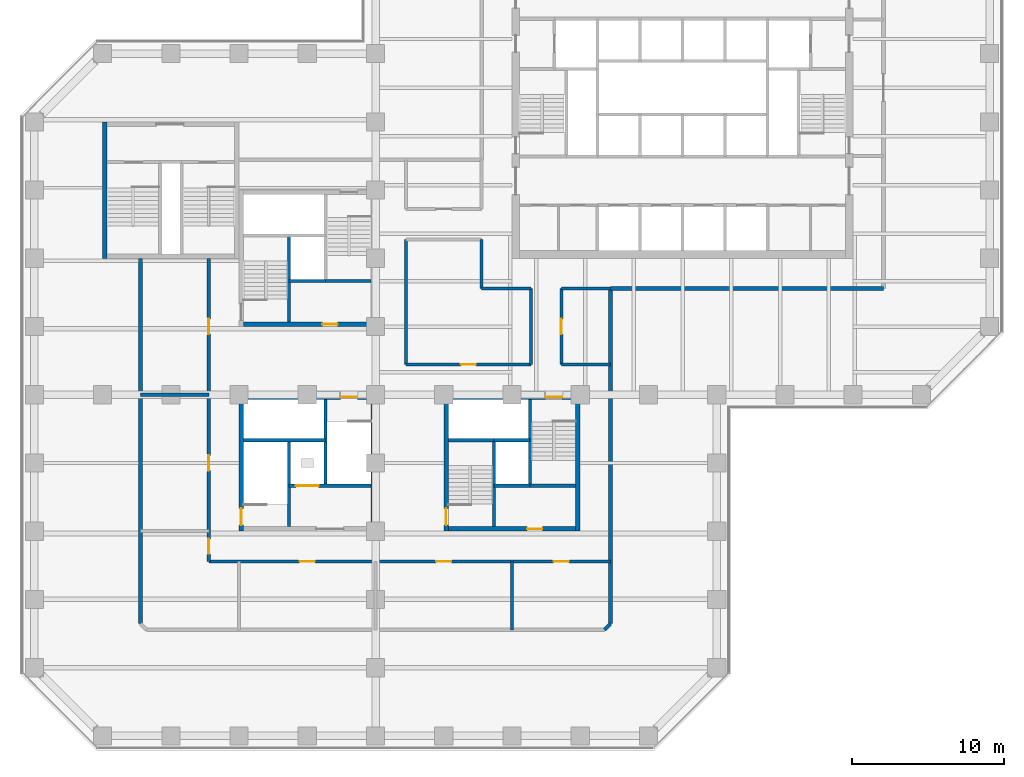
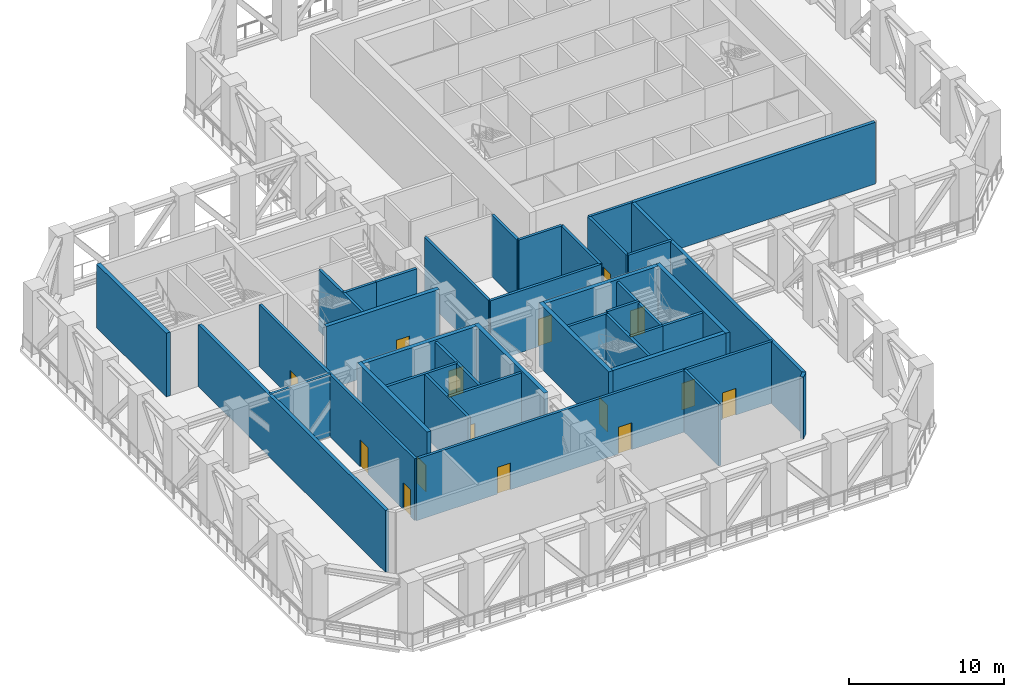
# One storey, part 5 of 16: 38 walls, 15 doors, 15 openings.
"""IFC4 building model written with IfcOpenShell, lengths in metres."""

from ifc_helpers import new_model, si_unit, direction, frame, frame_2d, origin, place, context, subcontext, project, spatial, rectangle, extrude, material, layer, layer_set, type_object, element, fill, save


model = new_model("IFC4")

# Units and contexts
model_context = context("Model", 3, precision=1e-05, world=origin(), true_north=direction((0.0, 1.0)))
body_context = subcontext(model_context, "Body", "Model", "MODEL_VIEW")
ifc_project = project(units=[si_unit("LENGTHUNIT", "METRE"), si_unit("AREAUNIT", "SQUARE_METRE"), si_unit("VOLUMEUNIT", "CUBIC_METRE"), si_unit("PLANEANGLEUNIT", "RADIAN"), si_unit("MASSUNIT", "GRAM", prefix="KILO")], contexts=[model_context])

# Site, building, storey
site_placement = place(None, origin())
site = spatial("IfcSite", under=ifc_project, at=site_placement, CompositionType="ELEMENT")
building_placement = place(site_placement, origin())
building = spatial("IfcBuilding", under=site, at=building_placement, Name="Quoin Convention Tower", CompositionType="ELEMENT")
storey_placement = place(building_placement, frame((0.0, 0.0, 69.300048828125)))
storey = spatial("IfcBuildingStorey", under=building, at=storey_placement, Name="L18", CompositionType="ELEMENT", Elevation=69.300048828125)

# Walls
ifc_material_1 = material(Name="Concrete C50", Category="concrete")
ifc_layer_1 = layer(ifc_material_1, 0.199951171875)
ifc_layer_set_1 = layer_set([ifc_layer_1], Name="Concrete C50")
wall_type_1 = type_object("IfcWallType", Name="Core shaft wall", PredefinedType="SOLIDWALL", material=ifc_layer_set_1)
wall_1_placement = place(storey_placement, frame((30.300048828125, 48.0, 0.0), z_axis=(0.0, 0.0, 1.0), x_axis=(1.0, 0.0, 0.0)))
element("IfcWall", 1, at=wall_1_placement, inside=storey, type_object=wall_type_1, Name="cr-P2-L18-h3000_3300", PredefinedType="SOLIDWALL", context=body_context, shape_type="SweptSolid", body=[
    extrude(rectangle(XDim=2.39990234375, YDim=0.199951171875, at=frame_2d((1.199951171875, 0.0))), origin(), (0.0, 0.0, 1.0), 4.849853515625),
])
wall_2_placement = place(storey_placement, frame((32.699951171875, 48.0, 0.0), z_axis=(0.0, 0.0, 1.0), x_axis=(1.0, 0.0, 0.0)))
element("IfcWall", 2, at=wall_2_placement, inside=storey, type_object=wall_type_1, Name="cr-P2-L18-h3000_5700", PredefinedType="SOLIDWALL", context=body_context, shape_type="SweptSolid", body=[
    extrude(rectangle(XDim=3.0, YDim=0.199951171875, at=frame_2d((1.5, 0.0))), origin(), (0.0, 0.0, 1.0), 4.849853515625),
])
wall_3_placement = place(storey_placement, frame((30.300048828125, 45.300048828125, 0.0), z_axis=(0.0, 0.0, 1.0), x_axis=(0.0, 1.0, 0.0)))
element("IfcWall", 3, at=wall_3_placement, inside=storey, type_object=wall_type_1, Name="cr-P2-L18-v3300_300", PredefinedType="SOLIDWALL", context=body_context, shape_type="SweptSolid", body=[
    extrude(rectangle(XDim=5.699951171875, YDim=0.199951171875, at=frame_2d((2.85009765625, 0.0))), origin(), (0.0, 0.0, 1.0), 4.849853515625),
])
wall_4_placement = place(storey_placement, frame((43.800048828125, 34.5, 0.0), z_axis=(0.0, 0.0, 1.0), x_axis=(1.0, 0.0, 0.0)))
element("IfcWall", 4, at=wall_4_placement, inside=storey, type_object=wall_type_1, Name="cr-P3-L18-h3000_3300", PredefinedType="SOLIDWALL", context=body_context, shape_type="SweptSolid", body=[
    extrude(rectangle(XDim=2.39990234375, YDim=0.199951171875, at=frame_2d((1.199951171875, 0.0))), origin(), (0.0, 0.0, 1.0), 4.849853515625),
])
for number, where, z_axis, x_axis, name in (
    (5, (46.199951171875, 34.5, 0.0), (0.0, 0.0, 1.0), (1.0, 0.0, 0.0), "cr-P3-L18-h3000_5700"),
    (6, (40.800048828125, 37.5, 0.0), (0.0, 0.0, 1.0), (1.0, 0.0, 0.0), "cr-P3-L18-h6000_300"),
):
    element("IfcWall", number, at=place(storey_placement, frame(where, z_axis=z_axis, x_axis=x_axis)), inside=storey, type_object=wall_type_1, Name=name, PredefinedType="SOLIDWALL", context=body_context, shape_type="SweptSolid", body=[
        extrude(rectangle(XDim=3.0, YDim=0.199951171875, at=frame_2d((1.5, 0.0))), origin(), (0.0, 0.0, 1.0), 4.849853515625),
    ])
for number, where, z_axis, x_axis, name in (
    (7, (43.800048828125, 31.800048828125, 0.0), (0.0, 0.0, 1.0), (0.0, 1.0, 0.0), "cr-P3-L18-v3300_300"),
    (8, (46.199951171875, 34.5, 0.0), (0.0, 0.0, 1.0), (0.0, 1.0, 0.0), "cr-P3-L18-v5700_3000"),
):
    element("IfcWall", number, at=place(storey_placement, frame(where, z_axis=z_axis, x_axis=x_axis)), inside=storey, type_object=wall_type_1, Name=name, PredefinedType="SOLIDWALL", context=body_context, shape_type="SweptSolid", body=[
        extrude(rectangle(XDim=5.699951171875, YDim=0.199951171875, at=frame_2d((2.85009765625, 0.0))), origin(), (0.0, 0.0, 1.0), 4.849853515625),
    ])

# Wall, opening, door
wall_5_placement = place(storey_placement, frame((30.300048828125, 34.5, 0.0), z_axis=(0.0, 0.0, 1.0), x_axis=(1.0, 0.0, 0.0)))
wall_5 = element("IfcWall", 9, at=wall_5_placement, inside=storey, type_object=wall_type_1, Name="cr-P4-L18-h3000_3300", PredefinedType="SOLIDWALL", context=body_context, shape_type="SweptSolid", body=[
    extrude(rectangle(XDim=5.39990234375, YDim=0.199951171875, at=frame_2d((2.699951171875, 0.0))), origin(), (0.0, 0.0, 1.0), 4.849853515625),
])
opening_1_placement = place(wall_5_placement, frame((0.449951171875, 0.0, 0.0)))
opening_1 = element("IfcOpeningElement", 10, at=opening_1_placement, cuts=wall_5, Name="Opening LDGL1", PredefinedType="OPENING", context=body_context, shape_type="SweptSolid", body=[
    extrude(rectangle(XDim=1.5, YDim=2.10009765625, at=frame_2d((0.75, 1.050048828125))), frame((0.0, 0.10986328125, 0.0), z_axis=(0.0, -1.0, 0.0), x_axis=(1.0, 0.0, 0.0)), (0.0, 0.0, 1.0), 0.219970703125),
])
ifc_material_2 = material(Name="Steel door leaf", Category="steel")
door_type_1 = type_object("IfcDoorType", Name="Lift landing door 1500 x 2100", OperationType="DOUBLE_DOOR_SLIDING", PredefinedType="DOOR", material=ifc_material_2)
door_1_placement = place(opening_1_placement, origin())
door_1 = element("IfcDoor", 11, at=door_1_placement, inside=storey, type_object=door_type_1, Name="cd-P4-L18-CEN-R2-LDGL1", OperationType="DOUBLE_DOOR_SLIDING", OverallHeight=2.10009765625, OverallWidth=1.5, PredefinedType="DOOR", context=body_context, shape_type="SweptSolid", body=[
    extrude(rectangle(XDim=1.5, YDim=2.10009765625, at=frame_2d((0.75, 1.050048828125))), frame((0.0, 0.02490234375, 0.0), z_axis=(0.0, -1.0, 0.0), x_axis=(1.0, 0.0, 0.0)), (0.0, 0.0, 1.0), 0.050048828125),
])
fill(opening_1, door_1)

# Walls
wall_6_placement = place(storey_placement, frame((27.300048828125, 37.5, 0.0), z_axis=(0.0, 0.0, 1.0), x_axis=(1.0, 0.0, 0.0)))
element("IfcWall", 12, at=wall_6_placement, inside=storey, type_object=wall_type_1, Name="cr-P4-L18-h6000_300", PredefinedType="SOLIDWALL", context=body_context, shape_type="SweptSolid", body=[
    extrude(rectangle(XDim=5.39990234375, YDim=0.199951171875, at=frame_2d((2.699951171875, 0.0))), origin(), (0.0, 0.0, 1.0), 4.849853515625),
])
for number, where, z_axis, x_axis, name in (
    (13, (30.300048828125, 31.800048828125, 0.0), (0.0, 0.0, 1.0), (0.0, 1.0, 0.0), "cr-P4-L18-v3300_300"),
    (14, (32.699951171875, 34.5, 0.0), (0.0, 0.0, 1.0), (0.0, 1.0, 0.0), "cr-P4-L18-v5700_3000"),
):
    element("IfcWall", number, at=place(storey_placement, frame(where, z_axis=z_axis, x_axis=x_axis)), inside=storey, type_object=wall_type_1, Name=name, PredefinedType="SOLIDWALL", context=body_context, shape_type="SweptSolid", body=[
        extrude(rectangle(XDim=5.699951171875, YDim=0.199951171875, at=frame_2d((2.85009765625, 0.0))), origin(), (0.0, 0.0, 1.0), 4.849853515625),
    ])
ifc_layer_2 = layer(ifc_material_1, 0.199951171875)
ifc_layer_set_2 = layer_set([ifc_layer_2], Name="Concrete C50")
wall_type_2 = type_object("IfcWallType", Name="Core shaft wall to the floor level over", PredefinedType="SOLIDWALL", material=ifc_layer_set_2)
wall_7_placement = place(storey_placement, frame((43.800048828125, 37.5, 0.0), z_axis=(0.0, 0.0, 1.0), x_axis=(1.0, 0.0, 0.0)))
element("IfcWall", 15, at=wall_7_placement, inside=storey, type_object=wall_type_2, Name="cr-P3-L18-h6000_3300", PredefinedType="SOLIDWALL", context=body_context, shape_type="SweptSolid", body=[
    extrude(rectangle(XDim=2.39990234375, YDim=0.199951171875, at=frame_2d((1.199951171875, 0.0))), origin(), (0.0, 0.0, 1.0), 5.0),
])

# Wall, opening, door
ifc_material_3 = material(Name="Concrete C80", Category="concrete")
ifc_layer_3 = layer(ifc_material_3, 0.300048828125)
ifc_layer_set_3 = layer_set([ifc_layer_3], Name="Concrete C80")
wall_type_3 = type_object("IfcWallType", Name="RC CORE WALL 300 C80", PredefinedType="SHEAR", material=ifc_layer_set_3)
wall_8_placement = place(storey_placement, frame((27.300048828125, 45.14990234375, 0.0), z_axis=(0.0, 0.0, 1.0), x_axis=(1.0, 0.0, 0.0)))
wall_8 = element("IfcWall", 16, at=wall_8_placement, inside=storey, type_object=wall_type_3, Name="cwl-P2-L18-S", PredefinedType="SHEAR", context=body_context, shape_type="SweptSolid", body=[
    extrude(rectangle(XDim=8.39990234375, YDim=0.300048828125, at=frame_2d((4.199951171875, 0.0))), origin(), (0.0, 0.0, 1.0), 5.0),
])
opening_2_placement = place(wall_8_placement, frame((5.199951171875, 0.0, 0.0)))
opening_2 = element("IfcOpeningElement", 17, at=opening_2_placement, cuts=wall_8, Name="Opening DCV0-60", PredefinedType="OPENING", context=body_context, shape_type="SweptSolid", body=[
    extrude(rectangle(XDim=1.0, YDim=2.10009765625, at=frame_2d((0.5, 1.050048828125))), frame((0.0, 0.159912109375, 0.0), z_axis=(0.0, -1.0, 0.0), x_axis=(1.0, 0.0, 0.0)), (0.0, 0.0, 1.0), 0.320068359375),
])
door_type_2 = type_object("IfcDoorType", Name="Service door 1000 x 2100", OperationType="SINGLE_SWING_LEFT", PredefinedType="DOOR", material=ifc_material_2)
door_2_placement = place(opening_2_placement, origin())
door_2 = element("IfcDoor", 18, at=door_2_placement, inside=storey, type_object=door_type_2, Name="cd-P2-L18-R2-S", OperationType="SINGLE_SWING_LEFT", OverallHeight=2.10009765625, OverallWidth=1.0, PredefinedType="DOOR", context=body_context, shape_type="SweptSolid", body=[
    extrude(rectangle(XDim=1.0, YDim=2.10009765625, at=frame_2d((0.5, 1.050048828125))), frame((0.0, 0.02490234375, 0.0), z_axis=(0.0, -1.0, 0.0), x_axis=(1.0, 0.0, 0.0)), (0.0, 0.0, 1.0), 0.050048828125),
])
fill(opening_2, door_2)

wall_9_placement = place(storey_placement, frame((40.800048828125, 31.64990234375, 0.0), z_axis=(0.0, 0.0, 1.0), x_axis=(1.0, 0.0, 0.0)))
wall_9 = element("IfcWall", 19, at=wall_9_placement, inside=storey, type_object=wall_type_3, Name="cwl-P3-L18-S", PredefinedType="SHEAR", context=body_context, shape_type="SweptSolid", body=[
    extrude(rectangle(XDim=8.39990234375, YDim=0.300048828125, at=frame_2d((4.199951171875, 0.0))), origin(), (0.0, 0.0, 1.0), 5.0),
])
opening_3_placement = place(wall_9_placement, frame((5.199951171875, 0.0, 0.0)))
opening_3 = element("IfcOpeningElement", 20, at=opening_3_placement, cuts=wall_9, Name="Opening DCV0-61", PredefinedType="OPENING", context=body_context, shape_type="SweptSolid", body=[
    extrude(rectangle(XDim=1.0, YDim=2.10009765625, at=frame_2d((0.5, 1.050048828125))), frame((0.0, 0.159912109375, 0.0), z_axis=(0.0, -1.0, 0.0), x_axis=(1.0, 0.0, 0.0)), (0.0, 0.0, 1.0), 0.320068359375),
])
door_3_placement = place(opening_3_placement, origin())
door_3 = element("IfcDoor", 21, at=door_3_placement, inside=storey, type_object=door_type_2, Name="cd-P3-L18-R2-S", OperationType="SINGLE_SWING_LEFT", OverallHeight=2.10009765625, OverallWidth=1.0, PredefinedType="DOOR", context=body_context, shape_type="SweptSolid", body=[
    extrude(rectangle(XDim=1.0, YDim=2.10009765625, at=frame_2d((0.5, 1.050048828125))), frame((0.0, 0.02490234375, 0.0), z_axis=(0.0, -1.0, 0.0), x_axis=(1.0, 0.0, 0.0)), (0.0, 0.0, 1.0), 0.050048828125),
])
fill(opening_3, door_3)

wall_10_placement = place(storey_placement, frame((40.800048828125, 40.35009765625, 0.0), z_axis=(0.0, 0.0, 1.0), x_axis=(1.0, 0.0, 0.0)))
wall_10 = element("IfcWall", 22, at=wall_10_placement, inside=storey, type_object=wall_type_3, Name="cwl-P3-L18-N", PredefinedType="SHEAR", context=body_context, shape_type="SweptSolid", body=[
    extrude(rectangle(XDim=8.39990234375, YDim=0.300048828125, at=frame_2d((4.199951171875, 0.0))), origin(), (0.0, 0.0, 1.0), 5.0),
])
opening_4_placement = place(wall_10_placement, frame((6.39990234375, 0.0, 0.0)))
opening_4 = element("IfcOpeningElement", 23, at=opening_4_placement, cuts=wall_10, Name="Opening SD6", PredefinedType="OPENING", context=body_context, shape_type="SweptSolid", body=[
    extrude(rectangle(XDim=1.10009765625, YDim=2.10009765625, at=frame_2d((0.550048828125, 1.050048828125))), frame((0.0, 0.159912109375, 0.0), z_axis=(0.0, -1.0, 0.0), x_axis=(1.0, 0.0, 0.0)), (0.0, 0.0, 1.0), 0.320068359375),
])
door_type_3 = type_object("IfcDoorType", Name="Stair door 1100 x 2100", OperationType="SINGLE_SWING_RIGHT", PredefinedType="DOOR", material=ifc_material_2)
door_4_placement = place(opening_4_placement, frame((1.10009765625, 0.0, 0.0), z_axis=(0.0, 0.0, 1.0), x_axis=(-1.0, 0.0, 0.0)))
door_4 = element("IfcDoor", 24, at=door_4_placement, inside=storey, type_object=door_type_3, Name="cd-P3-L18-SB-N", OperationType="SINGLE_SWING_LEFT", OverallHeight=2.10009765625, OverallWidth=1.10009765625, PredefinedType="DOOR", context=body_context, shape_type="SweptSolid", body=[
    extrude(rectangle(XDim=1.10009765625, YDim=2.10009765625, at=frame_2d((0.550048828125, 1.050048828125))), frame((0.0, 0.02490234375, 0.0), z_axis=(0.0, -1.0, 0.0), x_axis=(1.0, 0.0, 0.0)), (0.0, 0.0, 1.0), 0.050048828125),
])
fill(opening_4, door_4)

wall_11_placement = place(storey_placement, frame((40.64990234375, 31.5, 0.0), z_axis=(0.0, 0.0, 1.0), x_axis=(0.0, 1.0, 0.0)))
wall_11 = element("IfcWall", 25, at=wall_11_placement, inside=storey, type_object=wall_type_3, Name="cwl-P3-L18-W", PredefinedType="SHEAR", context=body_context, shape_type="SweptSolid", body=[
    extrude(rectangle(XDim=9.0, YDim=0.300048828125, at=frame_2d((4.5, 0.0))), origin(), (0.0, 0.0, 1.0), 5.0),
])
opening_5_placement = place(wall_11_placement, frame((0.39990234375, 0.0, 0.0)))
opening_5 = element("IfcOpeningElement", 26, at=opening_5_placement, cuts=wall_11, Name="Opening SD5", PredefinedType="OPENING", context=body_context, shape_type="SweptSolid", body=[
    extrude(rectangle(XDim=1.10009765625, YDim=2.10009765625, at=frame_2d((0.550048828125, 1.050048828125))), frame((0.0, 0.159912109375, 0.0), z_axis=(0.0, -1.0, 0.0), x_axis=(1.0, 0.0, 0.0)), (0.0, 0.0, 1.0), 0.320068359375),
])
door_5_placement = place(opening_5_placement, frame((1.10009765625, 0.0, 0.0), z_axis=(0.0, 0.0, 1.0), x_axis=(-1.0, 0.0, 0.0)))
door_5 = element("IfcDoor", 27, at=door_5_placement, inside=storey, type_object=door_type_3, Name="cd-P3-L18-SA-W", OperationType="SINGLE_SWING_RIGHT", OverallHeight=2.10009765625, OverallWidth=1.10009765625, PredefinedType="DOOR", context=body_context, shape_type="SweptSolid", body=[
    extrude(rectangle(XDim=1.10009765625, YDim=2.10009765625, at=frame_2d((0.550048828125, 1.050048828125))), frame((0.0, 0.02490234375, 0.0), z_axis=(0.0, -1.0, 0.0), x_axis=(1.0, 0.0, 0.0)), (0.0, 0.0, 1.0), 0.050048828125),
])
fill(opening_5, door_5)

# Wall
wall_12_placement = place(storey_placement, frame((49.35009765625, 31.5, 0.0), z_axis=(0.0, 0.0, 1.0), x_axis=(0.0, 1.0, 0.0)))
element("IfcWall", 28, at=wall_12_placement, inside=storey, type_object=wall_type_3, Name="cwl-P3-L18-E", PredefinedType="SHEAR", context=body_context, shape_type="SweptSolid", body=[
    extrude(rectangle(XDim=9.0, YDim=0.300048828125, at=frame_2d((4.5, 0.0))), origin(), (0.0, 0.0, 1.0), 5.0),
])

# Wall, opening, door
wall_13_placement = place(storey_placement, frame((27.300048828125, 40.35009765625, 0.0), z_axis=(0.0, 0.0, 1.0), x_axis=(1.0, 0.0, 0.0)))
wall_13 = element("IfcWall", 29, at=wall_13_placement, inside=storey, type_object=wall_type_3, Name="cwl-P4-L18-N", PredefinedType="SHEAR", context=body_context, shape_type="SweptSolid", body=[
    extrude(rectangle(XDim=8.39990234375, YDim=0.300048828125, at=frame_2d((4.199951171875, 0.0))), origin(), (0.0, 0.0, 1.0), 5.0),
])
opening_6_placement = place(wall_13_placement, frame((6.39990234375, 0.0, 0.0)))
opening_6 = element("IfcOpeningElement", 30, at=opening_6_placement, cuts=wall_13, Name="Opening SD8", PredefinedType="OPENING", context=body_context, shape_type="SweptSolid", body=[
    extrude(rectangle(XDim=1.10009765625, YDim=2.10009765625, at=frame_2d((0.550048828125, 1.050048828125))), frame((0.0, 0.159912109375, 0.0), z_axis=(0.0, -1.0, 0.0), x_axis=(1.0, 0.0, 0.0)), (0.0, 0.0, 1.0), 0.320068359375),
])
door_6_placement = place(opening_6_placement, frame((1.10009765625, 0.0, 0.0), z_axis=(0.0, 0.0, 1.0), x_axis=(-1.0, 0.0, 0.0)))
door_6 = element("IfcDoor", 31, at=door_6_placement, inside=storey, type_object=door_type_3, Name="cd-P4-L18-SB-N", OperationType="SINGLE_SWING_LEFT", OverallHeight=2.10009765625, OverallWidth=1.10009765625, PredefinedType="DOOR", context=body_context, shape_type="SweptSolid", body=[
    extrude(rectangle(XDim=1.10009765625, YDim=2.10009765625, at=frame_2d((0.550048828125, 1.050048828125))), frame((0.0, 0.02490234375, 0.0), z_axis=(0.0, -1.0, 0.0), x_axis=(1.0, 0.0, 0.0)), (0.0, 0.0, 1.0), 0.050048828125),
])
fill(opening_6, door_6)

wall_14_placement = place(storey_placement, frame((27.14990234375, 31.5, 0.0), z_axis=(0.0, 0.0, 1.0), x_axis=(0.0, 1.0, 0.0)))
wall_14 = element("IfcWall", 32, at=wall_14_placement, inside=storey, type_object=wall_type_3, Name="cwl-P4-L18-W", PredefinedType="SHEAR", context=body_context, shape_type="SweptSolid", body=[
    extrude(rectangle(XDim=9.0, YDim=0.300048828125, at=frame_2d((4.5, 0.0))), origin(), (0.0, 0.0, 1.0), 5.0),
])
opening_7_placement = place(wall_14_placement, frame((0.39990234375, 0.0, 0.0)))
opening_7 = element("IfcOpeningElement", 33, at=opening_7_placement, cuts=wall_14, Name="Opening SD7", PredefinedType="OPENING", context=body_context, shape_type="SweptSolid", body=[
    extrude(rectangle(XDim=1.10009765625, YDim=2.10009765625, at=frame_2d((0.550048828125, 1.050048828125))), frame((0.0, 0.159912109375, 0.0), z_axis=(0.0, -1.0, 0.0), x_axis=(1.0, 0.0, 0.0)), (0.0, 0.0, 1.0), 0.320068359375),
])
door_7_placement = place(opening_7_placement, frame((1.10009765625, 0.0, 0.0), z_axis=(0.0, 0.0, 1.0), x_axis=(-1.0, 0.0, 0.0)))
door_7 = element("IfcDoor", 34, at=door_7_placement, inside=storey, type_object=door_type_3, Name="cd-P4-L18-SA-W", OperationType="SINGLE_SWING_RIGHT", OverallHeight=2.10009765625, OverallWidth=1.10009765625, PredefinedType="DOOR", context=body_context, shape_type="SweptSolid", body=[
    extrude(rectangle(XDim=1.10009765625, YDim=2.10009765625, at=frame_2d((0.550048828125, 1.050048828125))), frame((0.0, 0.02490234375, 0.0), z_axis=(0.0, -1.0, 0.0), x_axis=(1.0, 0.0, 0.0)), (0.0, 0.0, 1.0), 0.050048828125),
])
fill(opening_7, door_7)

# Walls
for number, where, z_axis, x_axis, name in (
    (35, (35.85009765625, 31.5, 0.0), (0.0, 0.0, 1.0), (0.0, 1.0, 0.0), "cwl-P4-L18-E"),
    (36, (18.14990234375, 49.5, 0.0), (0.0, 0.0, 1.0), (0.0, 1.0, 0.0), "cwl-P6-L18-W"),
):
    element("IfcWall", number, at=place(storey_placement, frame(where, z_axis=z_axis, x_axis=x_axis)), inside=storey, type_object=wall_type_3, Name=name, PredefinedType="SHEAR", context=body_context, shape_type="SweptSolid", body=[
        extrude(rectangle(XDim=9.0, YDim=0.300048828125, at=frame_2d((4.5, 0.0))), origin(), (0.0, 0.0, 1.0), 5.0),
    ])
ifc_material_4 = material(Name="Plasterboard")
ifc_layer_4 = layer(ifc_material_4, 0.012451171875, Name="Finish")
ifc_material_5 = material(Name="Steel stud framing", Category="steel")
ifc_layer_5 = layer(ifc_material_5, 0.175048828125, Name="Structure")
ifc_layer_6 = layer(ifc_material_4, 0.012451171875, Name="Finish")
ifc_layer_set_4 = layer_set([ifc_layer_4, ifc_layer_5, ifc_layer_6], Name="Steel stud framing")
wall_type_4 = type_object("IfcWallType", Name="plant room wall", PredefinedType="PARTITIONING", material=ifc_layer_set_4)
wall_15_placement = place(storey_placement, frame((45.0, 25.0, 0.0), z_axis=(0.0, 0.0, 1.0), x_axis=(0.0, 1.0, 0.0)))
element("IfcWall", 37, at=wall_15_placement, inside=storey, type_object=wall_type_4, Name="pw-L18-014", PredefinedType="PARTITIONING", context=body_context, shape_type="SweptSolid", body=[
    extrude(rectangle(XDim=4.5, YDim=0.199951171875, at=frame_2d((2.25, 0.0))), origin(), (0.0, 0.0, 1.0), 4.849853515625),
])

# Wall, openings, doors
wall_16_placement = place(storey_placement, frame((25.0, 29.5, 0.0), z_axis=(0.0, 0.0, 1.0), x_axis=(1.0, 0.0, 0.0)))
wall_16 = element("IfcWall", 38, at=wall_16_placement, inside=storey, type_object=wall_type_4, Name="pw-L18-015", PredefinedType="PARTITIONING", context=body_context, shape_type="SweptSolid", body=[
    extrude(rectangle(XDim=26.5, YDim=0.199951171875, at=frame_2d((13.25, 0.0))), origin(), (0.0, 0.0, 1.0), 4.849853515625),
])
opening_8_placement = place(wall_16_placement, frame((6.0, 0.0, 0.0)))
opening_8 = element("IfcOpeningElement", 39, at=opening_8_placement, cuts=wall_16, Name="Opening DREFUGE-R1-03", PredefinedType="OPENING", context=body_context, shape_type="SweptSolid", body=[
    extrude(rectangle(XDim=1.0, YDim=2.10009765625, at=frame_2d((0.5, 1.050048828125))), frame((0.0, 0.10986328125, 0.0), z_axis=(0.0, -1.0, 0.0), x_axis=(1.0, 0.0, 0.0)), (0.0, 0.0, 1.0), 0.219970703125),
])
opening_9_placement = place(wall_16_placement, frame((15.0, 0.0, 0.0)))
opening_9 = element("IfcOpeningElement", 40, at=opening_9_placement, cuts=wall_16, Name="Opening DREFUGE-R1-04", PredefinedType="OPENING", context=body_context, shape_type="SweptSolid", body=[
    extrude(rectangle(XDim=1.0, YDim=2.10009765625, at=frame_2d((0.5, 1.050048828125))), frame((0.0, 0.10986328125, 0.0), z_axis=(0.0, -1.0, 0.0), x_axis=(1.0, 0.0, 0.0)), (0.0, 0.0, 1.0), 0.219970703125),
])
opening_10_placement = place(wall_16_placement, frame((22.75, 0.0, 0.0)))
opening_10 = element("IfcOpeningElement", 41, at=opening_10_placement, cuts=wall_16, Name="Opening DREFUGE-R1-05", PredefinedType="OPENING", context=body_context, shape_type="SweptSolid", body=[
    extrude(rectangle(XDim=1.0, YDim=2.10009765625, at=frame_2d((0.5, 1.050048828125))), frame((0.0, 0.10986328125, 0.0), z_axis=(0.0, -1.0, 0.0), x_axis=(1.0, 0.0, 0.0)), (0.0, 0.0, 1.0), 0.219970703125),
])
door_type_4 = type_object("IfcDoorType", Name="Plant room door", OperationType="SINGLE_SWING_LEFT", PredefinedType="DOOR", material=ifc_material_2)
door_8_placement = place(opening_8_placement, frame((1.0, 0.0, 0.0), z_axis=(0.0, 0.0, 1.0), x_axis=(-1.0, 0.0, 0.0)))
door_8 = element("IfcDoor", 42, at=door_8_placement, inside=storey, type_object=door_type_4, Name="dr-L18-003", OperationType="SINGLE_SWING_LEFT", OverallHeight=2.10009765625, OverallWidth=1.0, PredefinedType="DOOR", context=body_context, shape_type="SweptSolid", body=[
    extrude(rectangle(XDim=1.0, YDim=2.10009765625, at=frame_2d((0.5, 1.050048828125))), frame((0.0, 0.02490234375, 0.0), z_axis=(0.0, -1.0, 0.0), x_axis=(1.0, 0.0, 0.0)), (0.0, 0.0, 1.0), 0.050048828125),
])
fill(opening_8, door_8)
door_9_placement = place(opening_9_placement, frame((1.0, 0.0, 0.0), z_axis=(0.0, 0.0, 1.0), x_axis=(-1.0, 0.0, 0.0)))
door_9 = element("IfcDoor", 43, at=door_9_placement, inside=storey, type_object=door_type_4, Name="dr-L18-004", OperationType="SINGLE_SWING_LEFT", OverallHeight=2.10009765625, OverallWidth=1.0, PredefinedType="DOOR", context=body_context, shape_type="SweptSolid", body=[
    extrude(rectangle(XDim=1.0, YDim=2.10009765625, at=frame_2d((0.5, 1.050048828125))), frame((0.0, 0.02490234375, 0.0), z_axis=(0.0, -1.0, 0.0), x_axis=(1.0, 0.0, 0.0)), (0.0, 0.0, 1.0), 0.050048828125),
])
fill(opening_9, door_9)
door_10_placement = place(opening_10_placement, frame((1.0, 0.0, 0.0), z_axis=(0.0, 0.0, 1.0), x_axis=(-1.0, 0.0, 0.0)))
door_10 = element("IfcDoor", 44, at=door_10_placement, inside=storey, type_object=door_type_4, Name="dr-L18-005", OperationType="SINGLE_SWING_LEFT", OverallHeight=2.10009765625, OverallWidth=1.0, PredefinedType="DOOR", context=body_context, shape_type="SweptSolid", body=[
    extrude(rectangle(XDim=1.0, YDim=2.10009765625, at=frame_2d((0.5, 1.050048828125))), frame((0.0, 0.02490234375, 0.0), z_axis=(0.0, -1.0, 0.0), x_axis=(1.0, 0.0, 0.0)), (0.0, 0.0, 1.0), 0.050048828125),
])
fill(opening_10, door_10)

wall_17_placement = place(storey_placement, frame((25.0, 29.5, 0.0), z_axis=(0.0, 0.0, 1.0), x_axis=(0.0, 1.0, 0.0)))
wall_17 = element("IfcWall", 45, at=wall_17_placement, inside=storey, type_object=wall_type_4, Name="pw-L18-016", PredefinedType="PARTITIONING", context=body_context, shape_type="SweptSolid", body=[
    extrude(rectangle(XDim=20.0, YDim=0.199951171875, at=frame_2d((10.0, 0.0))), origin(), (0.0, 0.0, 1.0), 4.849853515625),
])
opening_11_placement = place(wall_17_placement, frame((0.5, 0.0, 0.0)))
opening_11 = element("IfcOpeningElement", 46, at=opening_11_placement, cuts=wall_17, Name="Opening DREFUGE-R1-06", PredefinedType="OPENING", context=body_context, shape_type="SweptSolid", body=[
    extrude(rectangle(XDim=1.0, YDim=2.10009765625, at=frame_2d((0.5, 1.050048828125))), frame((0.0, 0.10986328125, 0.0), z_axis=(0.0, -1.0, 0.0), x_axis=(1.0, 0.0, 0.0)), (0.0, 0.0, 1.0), 0.219970703125),
])
opening_12_placement = place(wall_17_placement, frame((6.0, 0.0, 0.0)))
opening_12 = element("IfcOpeningElement", 47, at=opening_12_placement, cuts=wall_17, Name="Opening DREFUGE-R1-07", PredefinedType="OPENING", context=body_context, shape_type="SweptSolid", body=[
    extrude(rectangle(XDim=1.0, YDim=2.10009765625, at=frame_2d((0.5, 1.050048828125))), frame((0.0, 0.10986328125, 0.0), z_axis=(0.0, -1.0, 0.0), x_axis=(1.0, 0.0, 0.0)), (0.0, 0.0, 1.0), 0.219970703125),
])
opening_13_placement = place(wall_17_placement, frame((15.0, 0.0, 0.0)))
opening_13 = element("IfcOpeningElement", 48, at=opening_13_placement, cuts=wall_17, Name="Opening DREFUGE-R1-08", PredefinedType="OPENING", context=body_context, shape_type="SweptSolid", body=[
    extrude(rectangle(XDim=1.0, YDim=2.10009765625, at=frame_2d((0.5, 1.050048828125))), frame((0.0, 0.10986328125, 0.0), z_axis=(0.0, -1.0, 0.0), x_axis=(1.0, 0.0, 0.0)), (0.0, 0.0, 1.0), 0.219970703125),
])
door_11_placement = place(opening_11_placement, origin())
door_11 = element("IfcDoor", 49, at=door_11_placement, inside=storey, type_object=door_type_4, Name="dr-L18-006", OperationType="SINGLE_SWING_RIGHT", OverallHeight=2.10009765625, OverallWidth=1.0, PredefinedType="DOOR", context=body_context, shape_type="SweptSolid", body=[
    extrude(rectangle(XDim=1.0, YDim=2.10009765625, at=frame_2d((0.5, 1.050048828125))), frame((0.0, 0.02490234375, 0.0), z_axis=(0.0, -1.0, 0.0), x_axis=(1.0, 0.0, 0.0)), (0.0, 0.0, 1.0), 0.050048828125),
])
fill(opening_11, door_11)
door_12_placement = place(opening_12_placement, origin())
door_12 = element("IfcDoor", 50, at=door_12_placement, inside=storey, type_object=door_type_4, Name="dr-L18-007", OperationType="SINGLE_SWING_RIGHT", OverallHeight=2.10009765625, OverallWidth=1.0, PredefinedType="DOOR", context=body_context, shape_type="SweptSolid", body=[
    extrude(rectangle(XDim=1.0, YDim=2.10009765625, at=frame_2d((0.5, 1.050048828125))), frame((0.0, 0.02490234375, 0.0), z_axis=(0.0, -1.0, 0.0), x_axis=(1.0, 0.0, 0.0)), (0.0, 0.0, 1.0), 0.050048828125),
])
fill(opening_12, door_12)
door_13_placement = place(opening_13_placement, origin())
door_13 = element("IfcDoor", 51, at=door_13_placement, inside=storey, type_object=door_type_4, Name="dr-L18-008", OperationType="SINGLE_SWING_LEFT", OverallHeight=2.10009765625, OverallWidth=1.0, PredefinedType="DOOR", context=body_context, shape_type="SweptSolid", body=[
    extrude(rectangle(XDim=1.0, YDim=2.10009765625, at=frame_2d((0.5, 1.050048828125))), frame((0.0, 0.02490234375, 0.0), z_axis=(0.0, -1.0, 0.0), x_axis=(1.0, 0.0, 0.0)), (0.0, 0.0, 1.0), 0.050048828125),
])
fill(opening_13, door_13)

# Wall
wall_18_placement = place(storey_placement, frame((20.5, 40.5, 0.0), z_axis=(0.0, 0.0, 1.0), x_axis=(1.0, 0.0, 0.0)))
element("IfcWall", 52, at=wall_18_placement, inside=storey, type_object=wall_type_4, Name="pw-L18-018", PredefinedType="PARTITIONING", context=body_context, shape_type="SweptSolid", body=[
    extrude(rectangle(XDim=4.5, YDim=0.199951171875, at=frame_2d((2.25, 0.0))), origin(), (0.0, 0.0, 1.0), 4.849853515625),
])

# Wall, opening, door
wall_19_placement = place(storey_placement, frame((38.0, 42.5, 0.0), z_axis=(0.0, 0.0, 1.0), x_axis=(1.0, 0.0, 0.0)))
wall_19 = element("IfcWall", 53, at=wall_19_placement, inside=storey, type_object=wall_type_4, Name="pw-L18-019", PredefinedType="PARTITIONING", context=body_context, shape_type="SweptSolid", body=[
    extrude(rectangle(XDim=8.25, YDim=0.199951171875, at=frame_2d((4.125, 0.0))), origin(), (0.0, 0.0, 1.0), 4.849853515625),
])
opening_14_placement = place(wall_19_placement, frame((3.625, 0.0, 0.0)))
opening_14 = element("IfcOpeningElement", 54, at=opening_14_placement, cuts=wall_19, Name="Opening DREFUGE-R1-09", PredefinedType="OPENING", context=body_context, shape_type="SweptSolid", body=[
    extrude(rectangle(XDim=1.0, YDim=2.10009765625, at=frame_2d((0.5, 1.050048828125))), frame((0.0, 0.10986328125, 0.0), z_axis=(0.0, -1.0, 0.0), x_axis=(1.0, 0.0, 0.0)), (0.0, 0.0, 1.0), 0.219970703125),
])
door_14_placement = place(opening_14_placement, origin())
door_14 = element("IfcDoor", 55, at=door_14_placement, inside=storey, type_object=door_type_4, Name="dr-L18-010", OperationType="SINGLE_SWING_RIGHT", OverallHeight=2.10009765625, OverallWidth=1.0, PredefinedType="DOOR", context=body_context, shape_type="SweptSolid", body=[
    extrude(rectangle(XDim=1.0, YDim=2.10009765625, at=frame_2d((0.5, 1.050048828125))), frame((0.0, 0.02490234375, 0.0), z_axis=(0.0, -1.0, 0.0), x_axis=(1.0, 0.0, 0.0)), (0.0, 0.0, 1.0), 0.050048828125),
])
fill(opening_14, door_14)

# Walls
wall_20_placement = place(storey_placement, frame((38.0, 42.5, 0.0), z_axis=(0.0, 0.0, 1.0), x_axis=(0.0, 1.0, 0.0)))
element("IfcWall", 56, at=wall_20_placement, inside=storey, type_object=wall_type_4, Name="pw-L18-020", PredefinedType="PARTITIONING", context=body_context, shape_type="SweptSolid", body=[
    extrude(rectangle(XDim=8.25, YDim=0.199951171875, at=frame_2d((4.125, 0.0))), origin(), (0.0, 0.0, 1.0), 4.849853515625),
])
wall_21_placement = place(storey_placement, frame((46.25, 42.5, 0.0), z_axis=(0.0, 0.0, 1.0), x_axis=(0.0, 1.0, 0.0)))
element("IfcWall", 57, at=wall_21_placement, inside=storey, type_object=wall_type_4, Name="pw-L18-021", PredefinedType="PARTITIONING", context=body_context, shape_type="SweptSolid", body=[
    extrude(rectangle(XDim=5.0, YDim=0.199951171875, at=frame_2d((2.5, 0.0))), origin(), (0.0, 0.0, 1.0), 4.849853515625),
])
wall_22_placement = place(storey_placement, frame((48.25, 42.5, 0.0), z_axis=(0.0, 0.0, 1.0), x_axis=(1.0, 0.0, 0.0)))
element("IfcWall", 58, at=wall_22_placement, inside=storey, type_object=wall_type_4, Name="pw-L18-022", PredefinedType="PARTITIONING", context=body_context, shape_type="SweptSolid", body=[
    extrude(rectangle(XDim=3.25, YDim=0.199951171875, at=frame_2d((1.625, 0.0))), origin(), (0.0, 0.0, 1.0), 4.849853515625),
])

# Wall, opening, door
wall_23_placement = place(storey_placement, frame((48.25, 42.5, 0.0), z_axis=(0.0, 0.0, 1.0), x_axis=(0.0, 1.0, 0.0)))
wall_23 = element("IfcWall", 59, at=wall_23_placement, inside=storey, type_object=wall_type_4, Name="pw-L18-023", PredefinedType="PARTITIONING", context=body_context, shape_type="SweptSolid", body=[
    extrude(rectangle(XDim=5.0, YDim=0.199951171875, at=frame_2d((2.5, 0.0))), origin(), (0.0, 0.0, 1.0), 4.849853515625),
])
opening_15_placement = place(wall_23_placement, frame((2.0, 0.0, 0.0)))
opening_15 = element("IfcOpeningElement", 60, at=opening_15_placement, cuts=wall_23, Name="Opening DREFUGE-R1-10", PredefinedType="OPENING", context=body_context, shape_type="SweptSolid", body=[
    extrude(rectangle(XDim=1.0, YDim=2.10009765625, at=frame_2d((0.5, 1.050048828125))), frame((0.0, 0.10986328125, 0.0), z_axis=(0.0, -1.0, 0.0), x_axis=(1.0, 0.0, 0.0)), (0.0, 0.0, 1.0), 0.219970703125),
])
door_15_placement = place(opening_15_placement, frame((1.0, 0.0, 0.0), z_axis=(0.0, 0.0, 1.0), x_axis=(-1.0, 0.0, 0.0)))
door_15 = element("IfcDoor", 61, at=door_15_placement, inside=storey, type_object=door_type_4, Name="dr-L18-009", OperationType="SINGLE_SWING_LEFT", OverallHeight=2.10009765625, OverallWidth=1.0, PredefinedType="DOOR", context=body_context, shape_type="SweptSolid", body=[
    extrude(rectangle(XDim=1.0, YDim=2.10009765625, at=frame_2d((0.5, 1.050048828125))), frame((0.0, 0.02490234375, 0.0), z_axis=(0.0, -1.0, 0.0), x_axis=(1.0, 0.0, 0.0)), (0.0, 0.0, 1.0), 0.050048828125),
])
fill(opening_15, door_15)

# Walls
for number, where, z_axis, x_axis, name in (
    (62, (43.0, 47.5, 0.0), (0.0, 0.0, 1.0), (1.0, 0.0, 0.0), "pw-L18-024"),
    (63, (43.0, 47.5, 0.0), (0.0, 0.0, 1.0), (0.0, 1.0, 0.0), "pw-L18-025"),
    (64, (48.25, 47.5, 0.0), (0.0, 0.0, 1.0), (1.0, 0.0, 0.0), "pw-L18-026"),
):
    element("IfcWall", number, at=place(storey_placement, frame(where, z_axis=z_axis, x_axis=x_axis)), inside=storey, type_object=wall_type_4, Name=name, PredefinedType="PARTITIONING", context=body_context, shape_type="SweptSolid", body=[
        extrude(rectangle(XDim=3.25, YDim=0.199951171875, at=frame_2d((1.625, 0.0))), origin(), (0.0, 0.0, 1.0), 4.849853515625),
    ])
ifc_layer_7 = layer(ifc_material_4, 0.012451171875, Name="Finish")
ifc_layer_8 = layer(ifc_material_5, 0.22509765625, Name="Structure")
ifc_layer_9 = layer(ifc_material_4, 0.012451171875, Name="Finish")
ifc_layer_set_5 = layer_set([ifc_layer_7, ifc_layer_8, ifc_layer_9], Name="Steel stud framing")
wall_type_5 = type_object("IfcWallType", Name="refuge enclosure wall", PredefinedType="PARTITIONING", material=ifc_layer_set_5)
wall_24_placement = place(storey_placement, frame((51.10107421875, 25.0, 0.0), z_axis=(0.0, 0.0, 1.0), x_axis=(0.707106781187, 0.707106781187, 0.0)))
element("IfcWall", 65, at=wall_24_placement, inside=storey, type_object=wall_type_5, Name="pw-L18-002", PredefinedType="PARTITIONING", context=body_context, shape_type="SweptSolid", body=[
    extrude(rectangle(XDim=0.564208984375, YDim=0.25, at=frame_2d((0.2822265625, 0.0))), origin(), (0.0, 0.0, 1.0), 4.849853515625),
])
wall_25_placement = place(storey_placement, frame((20.5, 25.39892578125, 0.0), z_axis=(0.0, 0.0, 1.0), x_axis=(0.0, 1.0, 0.0)))
element("IfcWall", 66, at=wall_25_placement, inside=storey, type_object=wall_type_5, Name="pw-L18-004", PredefinedType="PARTITIONING", context=body_context, shape_type="SweptSolid", body=[
    extrude(rectangle(XDim=24.10107421875, YDim=0.25, at=frame_2d((12.050537109375, 0.0))), origin(), (0.0, 0.0, 1.0), 4.849853515625),
])
wall_26_placement = place(storey_placement, frame((51.5, 25.39892578125, 0.0), z_axis=(0.0, 0.0, 1.0), x_axis=(0.0, 1.0, 0.0)))
element("IfcWall", 67, at=wall_26_placement, inside=storey, type_object=wall_type_5, Name="pw-L18-005", PredefinedType="PARTITIONING", context=body_context, shape_type="SweptSolid", body=[
    extrude(rectangle(XDim=22.10107421875, YDim=0.25, at=frame_2d((11.050537109375, 0.0))), origin(), (0.0, 0.0, 1.0), 4.849853515625),
])
wall_27_placement = place(storey_placement, frame((51.5, 47.5, 0.0), z_axis=(0.0, 0.0, 1.0), x_axis=(1.0, 0.0, 0.0)))
element("IfcWall", 68, at=wall_27_placement, inside=storey, type_object=wall_type_5, Name="pw-L18-006", PredefinedType="PARTITIONING", context=body_context, shape_type="SweptSolid", body=[
    extrude(rectangle(XDim=18.0, YDim=0.25, at=frame_2d((9.0, 0.0))), origin(), (0.0, 0.0, 1.0), 4.849853515625),
])

save(model, "model.ifc")
